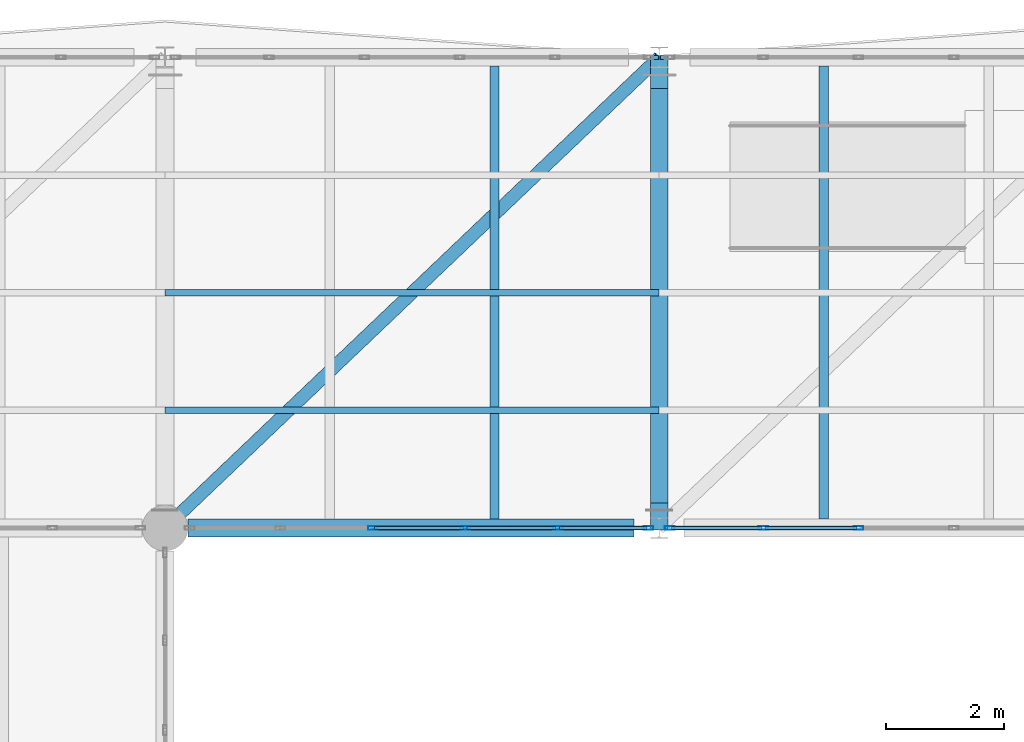
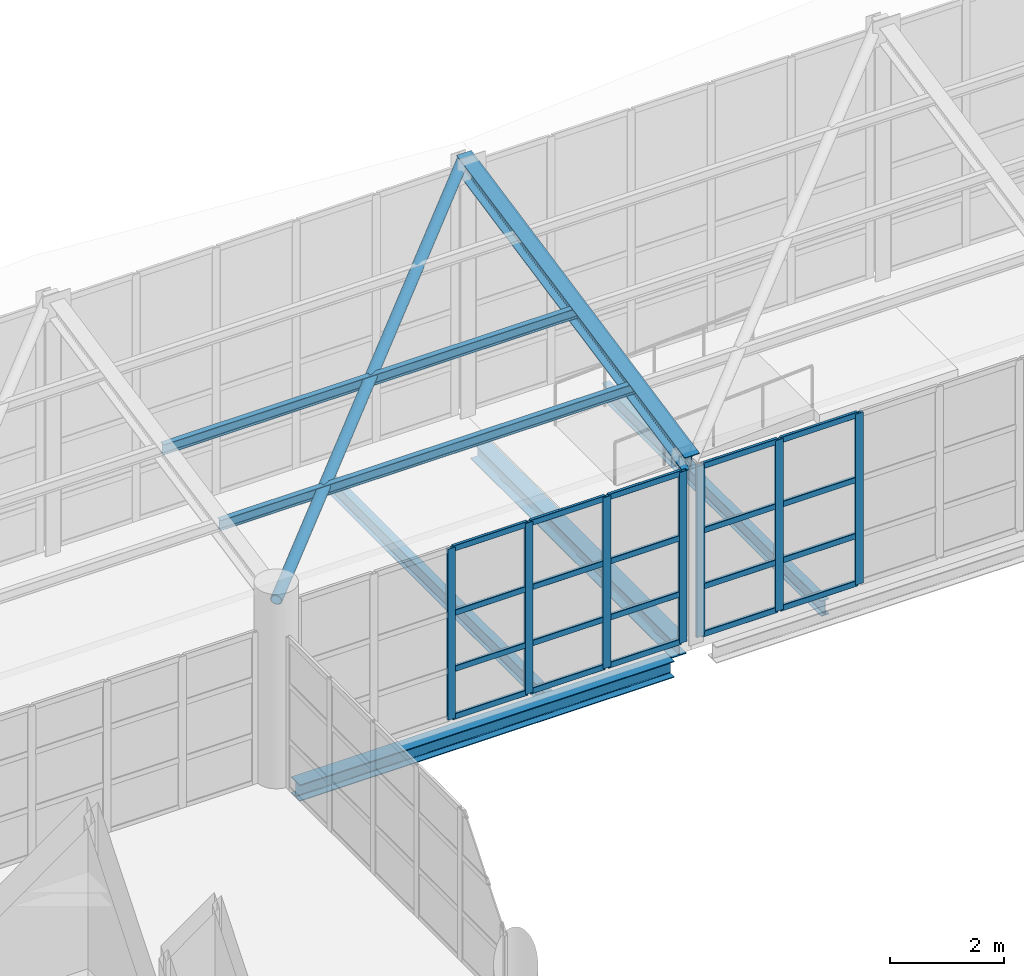
# One storey, part 104 of 177: 31 members, 4 beams, 2 elements without a shape of their own.
"""IFC4 building model written with IfcOpenShell, lengths in metres."""

from ifc_helpers import new_model, si_unit, direction, frame, origin, origin_2d, place, context, subcontext, project, spatial, hollow_rectangle, hollow_circle, i_section, extrude, material, layer, layer_set, material_profile, profile_set, type_object, element, aggregate, save


model = new_model("IFC4")

# Units and contexts
model_context = context("Model", 3, precision=1e-05, world=origin(), true_north=direction((0.0, 1.0)))
body_context = subcontext(model_context, "Body", "Model", "MODEL_VIEW")
ifc_project = project(units=[si_unit("LENGTHUNIT", "METRE"), si_unit("AREAUNIT", "SQUARE_METRE"), si_unit("VOLUMEUNIT", "CUBIC_METRE"), si_unit("PLANEANGLEUNIT", "RADIAN"), si_unit("MASSUNIT", "GRAM", prefix="KILO"), si_unit("THERMODYNAMICTEMPERATUREUNIT", "KELVIN"), si_unit("POWERUNIT", "WATT")], contexts=[model_context])

# Site, building, storey
site_placement = place(None, origin())
site = spatial("IfcSite", under=ifc_project, at=site_placement, CompositionType="ELEMENT")
building_placement = place(site_placement, origin())
building = spatial("IfcBuilding", under=site, at=building_placement, Name="Mavoryth Pier Ferry Terminal", CompositionType="ELEMENT")
storey_placement = place(building_placement, frame((0.0, 0.0, 5.43994140625)))
storey = spatial("IfcBuildingStorey", under=building, at=storey_placement, Name="L01", CompositionType="ELEMENT", Elevation=5.43994140625)

# Beam
ifc_material_1 = material(Name="Steel S355J2", Category="steel")
ifc_material_profile_1 = material_profile(ifc_material_1, i_section(OverallWidth=0.300048828125, OverallDepth=0.389892578125, WebThickness=0.010986328125, FlangeThickness=0.01904296875, FilletRadius=0.027099609375, at=origin_2d()), Name="HEA 400", Category="steel")
ifc_profile_set_1 = profile_set([ifc_material_profile_1], Name="Steel S355J2 - HEA 400")
beam_type_1 = type_object("IfcBeamType", Name="Beam-Steel-HEA400", PredefinedType="BEAM", material=ifc_profile_set_1)
beam_1_placement = place(storey_placement, frame((100.800048828125, 106.425048828125, -0.43505859375), z_axis=(0.0, 1.0, 0.0), x_axis=(-1.0, 0.0, 0.0)))
element("IfcBeam", 1, at=beam_1_placement, inside=storey, type_object=beam_type_1, Name="Beam B01-SB04-0284", PredefinedType="BEAM", context=body_context, shape_type="SweptSolid", body=[
    extrude(i_section(OverallWidth=0.300048828125, OverallDepth=0.389892578125, WebThickness=0.010986328125, FlangeThickness=0.01904296875, FilletRadius=0.027099609375, at=origin_2d()), origin(), (0.0, 0.0, 1.0), 7.050048828125),
])

# Member
ifc_material_profile_2 = material_profile(ifc_material_1, hollow_circle(Radius=0.109619140625, WallThickness=0.010009765625, at=origin_2d()), Name="CHS 219.1x10.0", Category="steel")
ifc_profile_set_2 = profile_set([ifc_material_profile_2], Name="Steel S355J2 - CHS 219.1x10.0")
member_type_1 = type_object("IfcMemberType", Name="Brace-Diag-CHS219", PredefinedType="BRACE", material=ifc_profile_set_2)
member_1_placement = place(storey_placement, frame((92.39990234375, 106.0, 3.771240234375), z_axis=(0.717118778547, 0.682958355435, 0.138955180532), x_axis=(-0.689648865971, 0.724143937118, 0.0)))
element("IfcMember", 2, at=member_1_placement, inside=storey, type_object=member_type_1, Name="Steel Member MB-L01-0273", PredefinedType="BRACE", context=body_context, shape_type="SweptSolid", body=[
    extrude(hollow_circle(Radius=0.109619140625, WallThickness=0.010009765625, at=origin_2d()), origin(), (0.0, 0.0, 1.0), 11.713623046875),
])

# Beams
ifc_material_profile_3 = material_profile(ifc_material_1, i_section(OverallWidth=0.159912109375, OverallDepth=0.330078125, WebThickness=0.007568359375, FlangeThickness=0.011474609375, FilletRadius=0.01806640625, at=origin_2d()), Name="IPE 330", Category="steel")
ifc_profile_set_3 = profile_set([ifc_material_profile_3], Name="Steel S355J2 - IPE 330")
beam_type_2 = type_object("IfcBeamType", Name="Joist-Steel-IPE330", PredefinedType="JOIST", material=ifc_profile_set_3)
for number, where, z_axis, x_axis, name in (
    (3, (98.0, 106.14990234375, -0.405029296875), (0.0, 1.0, 0.0), (-1.0, 0.0, 0.0), "Beam B01-SJ03-0300"),
    (4, (103.60009765625, 106.14990234375, -0.405029296875), (0.0, 1.0, 0.0), (-1.0, 0.0, 0.0), "Beam B01-SJ03-0301"),
):
    element("IfcBeam", number, at=place(storey_placement, frame(where, z_axis=z_axis, x_axis=x_axis)), inside=storey, type_object=beam_type_2, Name=name, PredefinedType="JOIST", context=body_context, shape_type="SweptSolid", body=[
        extrude(i_section(OverallWidth=0.159912109375, OverallDepth=0.330078125, WebThickness=0.007568359375, FlangeThickness=0.011474609375, FilletRadius=0.01806640625, at=origin_2d()), origin(), (0.0, 0.0, 1.0), 7.7001953125),
    ])

# Curtain wall, members
ifc_material_2 = material(Name="Anodised Aluminium and Solar-Control Low-E Glass", Category="aluminium")
ifc_layer = layer(ifc_material_2, 0.139892578125, Name="Anodised Aluminium and Solar-Control Low-E Glass", Category="aluminium")
ifc_layer_set = layer_set([ifc_layer], Name="Anodised Aluminium and Solar-Control Low-E Glass - CW-Gallery-Mod1600")
curtain_wall_type = type_object("IfcCurtainWallType", Name="CW-Gallery-Mod1600", PredefinedType="USERDEFINED", material=ifc_layer_set)
curtain_wall_1_placement = place(storey_placement, origin())
curtain_wall_1 = element("IfcCurtainWall", 5, at=curtain_wall_1_placement, inside=storey, type_object=curtain_wall_type, Name="Curtain Wall CW-0122-083", ObjectType="UNITISED CURTAIN WALL", PredefinedType="USERDEFINED")
ifc_material_3 = material(Name="Anodised Aluminium EN AW-6063", Category="aluminium")
ifc_material_profile_4 = material_profile(ifc_material_3, hollow_rectangle(XDim=0.06005859375, YDim=0.1650390625, WallThickness=0.00390625, InnerFilletRadius=0.00390625, OuterFilletRadius=0.008056640625, at=origin_2d()), Name="AL-MULL 165x60x4", Category="aluminium")
ifc_profile_set_4 = profile_set([ifc_material_profile_4], Name="Anodised Aluminium EN AW-6063 - AL-MULL 165x60x4")
member_type_2 = type_object("IfcMemberType", Name="Mullion-Alum-165x60", PredefinedType="MULLION", material=ifc_profile_set_4)
member_2_placement = place(storey_placement, frame((95.93408203125, 106.0, 0.0), z_axis=(0.0, 0.0, 1.0), x_axis=(0.0, 1.0, 0.0)))
member_2 = element("IfcMember", 6, at=member_2_placement, type_object=member_type_2, Name="CW05 mullion 3", PredefinedType="MULLION", context=body_context, shape_type="SweptSolid", body=[
    extrude(hollow_rectangle(XDim=0.06005859375, YDim=0.1650390625, WallThickness=0.00390625, InnerFilletRadius=0.00390625, OuterFilletRadius=0.008056640625, at=origin_2d()), origin(), (0.0, 0.0, 1.0), 3.66015625),
])
member_3_placement = place(storey_placement, frame((97.506103515625, 106.0, 0.0), z_axis=(0.0, 0.0, 1.0), x_axis=(0.0, 1.0, 0.0)))
member_3 = element("IfcMember", 7, at=member_3_placement, type_object=member_type_2, Name="CW05 mullion 4", PredefinedType="MULLION", context=body_context, shape_type="SweptSolid", body=[
    extrude(hollow_rectangle(XDim=0.06005859375, YDim=0.1650390625, WallThickness=0.00390625, InnerFilletRadius=0.00390625, OuterFilletRadius=0.008056640625, at=origin_2d()), origin(), (0.0, 0.0, 1.0), 3.66015625),
])
member_4_placement = place(storey_placement, frame((99.077880859375, 106.0, 0.0), z_axis=(0.0, 0.0, 1.0), x_axis=(0.0, 1.0, 0.0)))
member_4 = element("IfcMember", 8, at=member_4_placement, type_object=member_type_2, Name="CW05 mullion 5", PredefinedType="MULLION", context=body_context, shape_type="SweptSolid", body=[
    extrude(hollow_rectangle(XDim=0.06005859375, YDim=0.1650390625, WallThickness=0.00390625, InnerFilletRadius=0.00390625, OuterFilletRadius=0.008056640625, at=origin_2d()), origin(), (0.0, 0.0, 1.0), 3.66015625),
])
member_5_placement = place(storey_placement, frame((100.6201171875, 106.0, 0.0), z_axis=(0.0, 0.0, 1.0), x_axis=(0.0, 1.0, 0.0)))
member_5 = element("IfcMember", 9, at=member_5_placement, type_object=member_type_2, Name="CW05 mullion 6", PredefinedType="MULLION", context=body_context, shape_type="SweptSolid", body=[
    extrude(hollow_rectangle(XDim=0.06005859375, YDim=0.1650390625, WallThickness=0.00390625, InnerFilletRadius=0.00390625, OuterFilletRadius=0.008056640625, at=origin_2d()), origin(), (0.0, 0.0, 1.0), 3.66015625),
])

curtain_wall_2_placement = place(storey_placement, origin())
curtain_wall_2 = element("IfcCurtainWall", 10, at=curtain_wall_2_placement, inside=storey, type_object=curtain_wall_type, Name="Curtain Wall CW-0122-085", ObjectType="UNITISED CURTAIN WALL", PredefinedType="USERDEFINED")
member_6_placement = place(storey_placement, frame((100.97998046875, 106.0, 0.0), z_axis=(0.0, 0.0, 1.0), x_axis=(0.0, 1.0, 0.0)))
member_6 = element("IfcMember", 11, at=member_6_placement, type_object=member_type_2, Name="CW05 mullion 1", PredefinedType="MULLION", context=body_context, shape_type="SweptSolid", body=[
    extrude(hollow_rectangle(XDim=0.06005859375, YDim=0.1650390625, WallThickness=0.00390625, InnerFilletRadius=0.00390625, OuterFilletRadius=0.008056640625, at=origin_2d()), origin(), (0.0, 0.0, 1.0), 3.66015625),
])
member_7_placement = place(storey_placement, frame((102.570068359375, 106.0, 0.0), z_axis=(0.0, 0.0, 1.0), x_axis=(0.0, 1.0, 0.0)))
member_7 = element("IfcMember", 12, at=member_7_placement, type_object=member_type_2, Name="CW05 mullion 2", PredefinedType="MULLION", context=body_context, shape_type="SweptSolid", body=[
    extrude(hollow_rectangle(XDim=0.06005859375, YDim=0.1650390625, WallThickness=0.00390625, InnerFilletRadius=0.00390625, OuterFilletRadius=0.008056640625, at=origin_2d()), origin(), (0.0, 0.0, 1.0), 3.66015625),
])
member_8_placement = place(storey_placement, frame((104.18994140625, 106.0, 0.0), z_axis=(0.0, 0.0, 1.0), x_axis=(0.0, 1.0, 0.0)))
member_8 = element("IfcMember", 13, at=member_8_placement, type_object=member_type_2, Name="CW05 mullion 3", PredefinedType="MULLION", context=body_context, shape_type="SweptSolid", body=[
    extrude(hollow_rectangle(XDim=0.06005859375, YDim=0.1650390625, WallThickness=0.00390625, InnerFilletRadius=0.00390625, OuterFilletRadius=0.008056640625, at=origin_2d()), origin(), (0.0, 0.0, 1.0), 3.66015625),
])

# Members
ifc_material_profile_5 = material_profile(ifc_material_1, i_section(OverallWidth=0.110107421875, OverallDepth=0.219970703125, WebThickness=0.005859375, FlangeThickness=0.00927734375, FilletRadius=0.011962890625, at=origin_2d()), Name="IPE 220", Category="steel")
ifc_profile_set_5 = profile_set([ifc_material_profile_5], Name="Steel S355J2 - IPE 220")
member_type_3 = type_object("IfcMemberType", Name="Purlin-Roof-IPE220", PredefinedType="PURLIN", material=ifc_profile_set_5)
for number, where, z_axis, x_axis, name in (
    (14, (92.39990234375, 108.0, 4.17822265625), (1.0, 0.0, 0.0), (0.0, 1.0, 0.0), "Steel Member MB-L01-0270"),
    (15, (92.39990234375, 110.0, 4.5849609375), (1.0, 0.0, 0.0), (0.0, 1.0, 0.0), "Steel Member MB-L01-0271"),
):
    element("IfcMember", number, at=place(storey_placement, frame(where, z_axis=z_axis, x_axis=x_axis)), inside=storey, type_object=member_type_3, Name=name, PredefinedType="PURLIN", context=body_context, shape_type="SweptSolid", body=[
        extrude(i_section(OverallWidth=0.110107421875, OverallDepth=0.219970703125, WebThickness=0.005859375, FlangeThickness=0.00927734375, FilletRadius=0.011962890625, at=origin_2d()), origin(), (0.0, 0.0, 1.0), 8.400146484375),
    ])
ifc_material_profile_6 = material_profile(ifc_material_1, i_section(OverallWidth=0.300048828125, OverallDepth=0.35009765625, WebThickness=0.010009765625, FlangeThickness=0.017578125, FilletRadius=0.027099609375, at=origin_2d()), Name="HEA 360", Category="steel")
ifc_profile_set_6 = profile_set([ifc_material_profile_6], Name="Steel S355J2 - HEA 360")
member_type_4 = type_object("IfcMemberType", Name="Rafter-Gallery-HEA360", PredefinedType="RAFTER", material=ifc_profile_set_6)
member_9_placement = place(storey_placement, frame((100.800048828125, 106.0, 3.771240234375), z_axis=(0.0, 0.979923097627, 0.199375832882), x_axis=(-1.0, 0.0, 0.0)))
element("IfcMember", 16, at=member_9_placement, inside=storey, type_object=member_type_4, Name="Steel Member MB-L01-0243", PredefinedType="RAFTER", context=body_context, shape_type="SweptSolid", body=[
    extrude(i_section(OverallWidth=0.300048828125, OverallDepth=0.35009765625, WebThickness=0.010009765625, FlangeThickness=0.017578125, FilletRadius=0.027099609375, at=origin_2d()), origin(), (0.0, 0.0, 1.0), 8.163818359375),
])

# Beam
ifc_material_profile_7 = material_profile(ifc_material_1, i_section(OverallWidth=0.300048828125, OverallDepth=0.35009765625, WebThickness=0.010009765625, FlangeThickness=0.017578125, FilletRadius=0.027099609375, at=origin_2d()), Name="HEA 360", Category="steel")
ifc_profile_set_7 = profile_set([ifc_material_profile_7], Name="Steel S355J2 - HEA 360")
beam_type_3 = type_object("IfcBeamType", Name="Spandrel-Steel-HEA360", PredefinedType="SPANDREL", material=ifc_profile_set_7)
beam_2_placement = place(storey_placement, frame((92.7900390625, 106.0, -0.4150390625), z_axis=(1.0, 0.0, 0.0), x_axis=(0.0, 1.0, 0.0)))
element("IfcBeam", 17, at=beam_2_placement, inside=storey, type_object=beam_type_3, Name="Beam B01-SP03-0259", PredefinedType="SPANDREL", context=body_context, shape_type="SweptSolid", body=[
    extrude(i_section(OverallWidth=0.300048828125, OverallDepth=0.35009765625, WebThickness=0.010009765625, FlangeThickness=0.017578125, FilletRadius=0.027099609375, at=origin_2d()), origin(), (0.0, 0.0, 1.0), 7.5849609375),
])

# Member
ifc_material_profile_8 = material_profile(ifc_material_3, hollow_rectangle(XDim=0.06005859375, YDim=0.125, WallThickness=0.00390625, InnerFilletRadius=0.00390625, OuterFilletRadius=0.008056640625, at=origin_2d()), Name="AL-TRAN 125x60x4", Category="aluminium")
ifc_profile_set_8 = profile_set([ifc_material_profile_8], Name="Anodised Aluminium EN AW-6063 - AL-TRAN 125x60x4")
member_type_5 = type_object("IfcMemberType", Name="Transom-Alum-125x60", PredefinedType="USERDEFINED", material=ifc_profile_set_8)
member_10_placement = place(storey_placement, frame((95.964111328125, 106.0, 0.030029296875), z_axis=(1.0, 0.0, 0.0), x_axis=(0.0, 1.0, 0.0)))
member_10 = element("IfcMember", 18, at=member_10_placement, type_object=member_type_5, Name="CW05 transom 3.1", ObjectType="TRANSOM", PredefinedType="USERDEFINED", context=body_context, shape_type="SweptSolid", body=[
    extrude(hollow_rectangle(XDim=0.06005859375, YDim=0.125, WallThickness=0.00390625, InnerFilletRadius=0.00390625, OuterFilletRadius=0.008056640625, at=origin_2d()), origin(), (0.0, 0.0, 1.0), 1.511962890625),
])

member_11_placement = place(storey_placement, frame((95.964111328125, 106.0, 1.050048828125), z_axis=(1.0, 0.0, 0.0), x_axis=(0.0, 1.0, 0.0)))
member_11 = element("IfcMember", 19, at=member_11_placement, type_object=member_type_5, Name="CW05 transom 3.2", ObjectType="TRANSOM", PredefinedType="USERDEFINED", context=body_context, shape_type="SweptSolid", body=[
    extrude(hollow_rectangle(XDim=0.06005859375, YDim=0.125, WallThickness=0.00390625, InnerFilletRadius=0.00390625, OuterFilletRadius=0.008056640625, at=origin_2d()), origin(), (0.0, 0.0, 1.0), 1.511962890625),
])

member_12_placement = place(storey_placement, frame((95.964111328125, 106.0, 2.25), z_axis=(1.0, 0.0, 0.0), x_axis=(0.0, 1.0, 0.0)))
member_12 = element("IfcMember", 20, at=member_12_placement, type_object=member_type_5, Name="CW05 transom 3.3", ObjectType="TRANSOM", PredefinedType="USERDEFINED", context=body_context, shape_type="SweptSolid", body=[
    extrude(hollow_rectangle(XDim=0.06005859375, YDim=0.125, WallThickness=0.00390625, InnerFilletRadius=0.00390625, OuterFilletRadius=0.008056640625, at=origin_2d()), origin(), (0.0, 0.0, 1.0), 1.511962890625),
])

member_13_placement = place(storey_placement, frame((95.964111328125, 106.0, 3.630126953125), z_axis=(1.0, 0.0, 0.0), x_axis=(0.0, 1.0, 0.0)))
member_13 = element("IfcMember", 21, at=member_13_placement, type_object=member_type_5, Name="CW05 transom 3.4", ObjectType="TRANSOM", PredefinedType="USERDEFINED", context=body_context, shape_type="SweptSolid", body=[
    extrude(hollow_rectangle(XDim=0.06005859375, YDim=0.125, WallThickness=0.00390625, InnerFilletRadius=0.00390625, OuterFilletRadius=0.008056640625, at=origin_2d()), origin(), (0.0, 0.0, 1.0), 1.511962890625),
])

member_14_placement = place(storey_placement, frame((97.535888671875, 106.0, 0.030029296875), z_axis=(1.0, 0.0, 0.0), x_axis=(0.0, 1.0, 0.0)))
member_14 = element("IfcMember", 22, at=member_14_placement, type_object=member_type_5, Name="CW05 transom 4.1", ObjectType="TRANSOM", PredefinedType="USERDEFINED", context=body_context, shape_type="SweptSolid", body=[
    extrude(hollow_rectangle(XDim=0.06005859375, YDim=0.125, WallThickness=0.00390625, InnerFilletRadius=0.00390625, OuterFilletRadius=0.008056640625, at=origin_2d()), origin(), (0.0, 0.0, 1.0), 1.51220703125),
])

member_15_placement = place(storey_placement, frame((97.535888671875, 106.0, 1.050048828125), z_axis=(1.0, 0.0, 0.0), x_axis=(0.0, 1.0, 0.0)))
member_15 = element("IfcMember", 23, at=member_15_placement, type_object=member_type_5, Name="CW05 transom 4.2", ObjectType="TRANSOM", PredefinedType="USERDEFINED", context=body_context, shape_type="SweptSolid", body=[
    extrude(hollow_rectangle(XDim=0.06005859375, YDim=0.125, WallThickness=0.00390625, InnerFilletRadius=0.00390625, OuterFilletRadius=0.008056640625, at=origin_2d()), origin(), (0.0, 0.0, 1.0), 1.51220703125),
])

member_16_placement = place(storey_placement, frame((97.535888671875, 106.0, 2.25), z_axis=(1.0, 0.0, 0.0), x_axis=(0.0, 1.0, 0.0)))
member_16 = element("IfcMember", 24, at=member_16_placement, type_object=member_type_5, Name="CW05 transom 4.3", ObjectType="TRANSOM", PredefinedType="USERDEFINED", context=body_context, shape_type="SweptSolid", body=[
    extrude(hollow_rectangle(XDim=0.06005859375, YDim=0.125, WallThickness=0.00390625, InnerFilletRadius=0.00390625, OuterFilletRadius=0.008056640625, at=origin_2d()), origin(), (0.0, 0.0, 1.0), 1.51220703125),
])

member_17_placement = place(storey_placement, frame((97.535888671875, 106.0, 3.630126953125), z_axis=(1.0, 0.0, 0.0), x_axis=(0.0, 1.0, 0.0)))
member_17 = element("IfcMember", 25, at=member_17_placement, type_object=member_type_5, Name="CW05 transom 4.4", ObjectType="TRANSOM", PredefinedType="USERDEFINED", context=body_context, shape_type="SweptSolid", body=[
    extrude(hollow_rectangle(XDim=0.06005859375, YDim=0.125, WallThickness=0.00390625, InnerFilletRadius=0.00390625, OuterFilletRadius=0.008056640625, at=origin_2d()), origin(), (0.0, 0.0, 1.0), 1.51220703125),
])

member_18_placement = place(storey_placement, frame((99.10791015625, 106.0, 0.030029296875), z_axis=(1.0, 0.0, 0.0), x_axis=(0.0, 1.0, 0.0)))
member_18 = element("IfcMember", 26, at=member_18_placement, type_object=member_type_5, Name="CW05 transom 5.1", ObjectType="TRANSOM", PredefinedType="USERDEFINED", context=body_context, shape_type="SweptSolid", body=[
    extrude(hollow_rectangle(XDim=0.06005859375, YDim=0.125, WallThickness=0.00390625, InnerFilletRadius=0.00390625, OuterFilletRadius=0.008056640625, at=origin_2d()), origin(), (0.0, 0.0, 1.0), 1.482177734375),
])

member_19_placement = place(storey_placement, frame((99.10791015625, 106.0, 1.050048828125), z_axis=(1.0, 0.0, 0.0), x_axis=(0.0, 1.0, 0.0)))
member_19 = element("IfcMember", 27, at=member_19_placement, type_object=member_type_5, Name="CW05 transom 5.2", ObjectType="TRANSOM", PredefinedType="USERDEFINED", context=body_context, shape_type="SweptSolid", body=[
    extrude(hollow_rectangle(XDim=0.06005859375, YDim=0.125, WallThickness=0.00390625, InnerFilletRadius=0.00390625, OuterFilletRadius=0.008056640625, at=origin_2d()), origin(), (0.0, 0.0, 1.0), 1.482177734375),
])

member_20_placement = place(storey_placement, frame((99.10791015625, 106.0, 2.25), z_axis=(1.0, 0.0, 0.0), x_axis=(0.0, 1.0, 0.0)))
member_20 = element("IfcMember", 28, at=member_20_placement, type_object=member_type_5, Name="CW05 transom 5.3", ObjectType="TRANSOM", PredefinedType="USERDEFINED", context=body_context, shape_type="SweptSolid", body=[
    extrude(hollow_rectangle(XDim=0.06005859375, YDim=0.125, WallThickness=0.00390625, InnerFilletRadius=0.00390625, OuterFilletRadius=0.008056640625, at=origin_2d()), origin(), (0.0, 0.0, 1.0), 1.482177734375),
])

member_21_placement = place(storey_placement, frame((99.10791015625, 106.0, 3.630126953125), z_axis=(1.0, 0.0, 0.0), x_axis=(0.0, 1.0, 0.0)))
member_21 = element("IfcMember", 29, at=member_21_placement, type_object=member_type_5, Name="CW05 transom 5.4", ObjectType="TRANSOM", PredefinedType="USERDEFINED", context=body_context, shape_type="SweptSolid", body=[
    extrude(hollow_rectangle(XDim=0.06005859375, YDim=0.125, WallThickness=0.00390625, InnerFilletRadius=0.00390625, OuterFilletRadius=0.008056640625, at=origin_2d()), origin(), (0.0, 0.0, 1.0), 1.482177734375),
])

aggregate(curtain_wall_1, [member_2, member_3, member_4, member_5, member_10, member_11, member_12, member_13, member_14, member_15, member_16, member_17, member_18, member_19, member_20, member_21])

member_22_placement = place(storey_placement, frame((101.010009765625, 106.0, 0.030029296875), z_axis=(1.0, 0.0, 0.0), x_axis=(0.0, 1.0, 0.0)))
member_22 = element("IfcMember", 30, at=member_22_placement, type_object=member_type_5, Name="CW05 transom 1.1", ObjectType="TRANSOM", PredefinedType="USERDEFINED", context=body_context, shape_type="SweptSolid", body=[
    extrude(hollow_rectangle(XDim=0.06005859375, YDim=0.125, WallThickness=0.00390625, InnerFilletRadius=0.00390625, OuterFilletRadius=0.008056640625, at=origin_2d()), origin(), (0.0, 0.0, 1.0), 1.530029296875),
])

member_23_placement = place(storey_placement, frame((101.010009765625, 106.0, 1.050048828125), z_axis=(1.0, 0.0, 0.0), x_axis=(0.0, 1.0, 0.0)))
member_23 = element("IfcMember", 31, at=member_23_placement, type_object=member_type_5, Name="CW05 transom 1.2", ObjectType="TRANSOM", PredefinedType="USERDEFINED", context=body_context, shape_type="SweptSolid", body=[
    extrude(hollow_rectangle(XDim=0.06005859375, YDim=0.125, WallThickness=0.00390625, InnerFilletRadius=0.00390625, OuterFilletRadius=0.008056640625, at=origin_2d()), origin(), (0.0, 0.0, 1.0), 1.530029296875),
])

member_24_placement = place(storey_placement, frame((101.010009765625, 106.0, 2.25), z_axis=(1.0, 0.0, 0.0), x_axis=(0.0, 1.0, 0.0)))
member_24 = element("IfcMember", 32, at=member_24_placement, type_object=member_type_5, Name="CW05 transom 1.3", ObjectType="TRANSOM", PredefinedType="USERDEFINED", context=body_context, shape_type="SweptSolid", body=[
    extrude(hollow_rectangle(XDim=0.06005859375, YDim=0.125, WallThickness=0.00390625, InnerFilletRadius=0.00390625, OuterFilletRadius=0.008056640625, at=origin_2d()), origin(), (0.0, 0.0, 1.0), 1.530029296875),
])

member_25_placement = place(storey_placement, frame((101.010009765625, 106.0, 3.630126953125), z_axis=(1.0, 0.0, 0.0), x_axis=(0.0, 1.0, 0.0)))
member_25 = element("IfcMember", 33, at=member_25_placement, type_object=member_type_5, Name="CW05 transom 1.4", ObjectType="TRANSOM", PredefinedType="USERDEFINED", context=body_context, shape_type="SweptSolid", body=[
    extrude(hollow_rectangle(XDim=0.06005859375, YDim=0.125, WallThickness=0.00390625, InnerFilletRadius=0.00390625, OuterFilletRadius=0.008056640625, at=origin_2d()), origin(), (0.0, 0.0, 1.0), 1.530029296875),
])

member_26_placement = place(storey_placement, frame((102.60009765625, 106.0, 0.030029296875), z_axis=(1.0, 0.0, 0.0), x_axis=(0.0, 1.0, 0.0)))
member_26 = element("IfcMember", 34, at=member_26_placement, type_object=member_type_5, Name="CW05 transom 2.1", ObjectType="TRANSOM", PredefinedType="USERDEFINED", context=body_context, shape_type="SweptSolid", body=[
    extrude(hollow_rectangle(XDim=0.06005859375, YDim=0.125, WallThickness=0.00390625, InnerFilletRadius=0.00390625, OuterFilletRadius=0.008056640625, at=origin_2d()), origin(), (0.0, 0.0, 1.0), 1.559814453125),
])

member_27_placement = place(storey_placement, frame((102.60009765625, 106.0, 1.050048828125), z_axis=(1.0, 0.0, 0.0), x_axis=(0.0, 1.0, 0.0)))
member_27 = element("IfcMember", 35, at=member_27_placement, type_object=member_type_5, Name="CW05 transom 2.2", ObjectType="TRANSOM", PredefinedType="USERDEFINED", context=body_context, shape_type="SweptSolid", body=[
    extrude(hollow_rectangle(XDim=0.06005859375, YDim=0.125, WallThickness=0.00390625, InnerFilletRadius=0.00390625, OuterFilletRadius=0.008056640625, at=origin_2d()), origin(), (0.0, 0.0, 1.0), 1.559814453125),
])

member_28_placement = place(storey_placement, frame((102.60009765625, 106.0, 2.25), z_axis=(1.0, 0.0, 0.0), x_axis=(0.0, 1.0, 0.0)))
member_28 = element("IfcMember", 36, at=member_28_placement, type_object=member_type_5, Name="CW05 transom 2.3", ObjectType="TRANSOM", PredefinedType="USERDEFINED", context=body_context, shape_type="SweptSolid", body=[
    extrude(hollow_rectangle(XDim=0.06005859375, YDim=0.125, WallThickness=0.00390625, InnerFilletRadius=0.00390625, OuterFilletRadius=0.008056640625, at=origin_2d()), origin(), (0.0, 0.0, 1.0), 1.559814453125),
])

member_29_placement = place(storey_placement, frame((102.60009765625, 106.0, 3.630126953125), z_axis=(1.0, 0.0, 0.0), x_axis=(0.0, 1.0, 0.0)))
member_29 = element("IfcMember", 37, at=member_29_placement, type_object=member_type_5, Name="CW05 transom 2.4", ObjectType="TRANSOM", PredefinedType="USERDEFINED", context=body_context, shape_type="SweptSolid", body=[
    extrude(hollow_rectangle(XDim=0.06005859375, YDim=0.125, WallThickness=0.00390625, InnerFilletRadius=0.00390625, OuterFilletRadius=0.008056640625, at=origin_2d()), origin(), (0.0, 0.0, 1.0), 1.559814453125),
])

aggregate(curtain_wall_2, [member_6, member_7, member_8, member_22, member_23, member_24, member_25, member_26, member_27, member_28, member_29])

save(model, "model.ifc")
